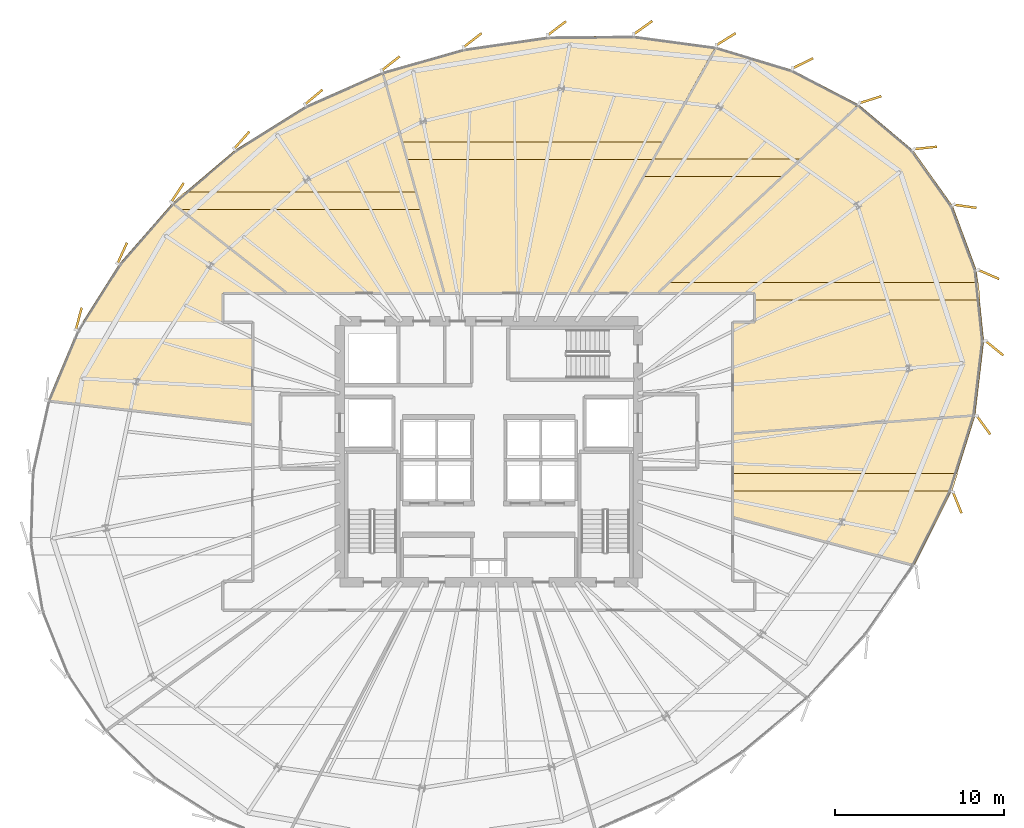
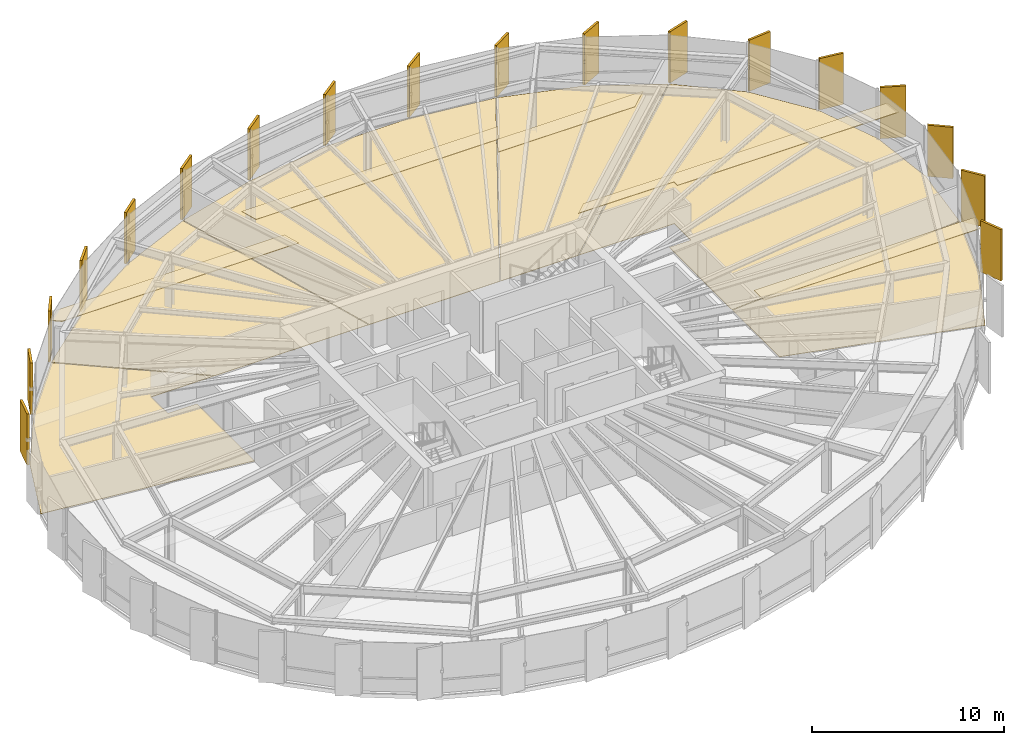
# One storey, part 35 of 35: 29 coverings.
"""IFC4 building model written with IfcOpenShell, lengths in metres."""

from ifc_helpers import new_model, si_unit, direction, frame, origin, origin_2d, place, context, subcontext, project, spatial, polyline, rectangle, outline, extrude, source, transform, mapped, material, layer, layer_set, type_object, element, save


model = new_model("IFC4")

# Units and contexts
model_context = context("Model", 3, precision=1e-05, world=origin(), true_north=direction((0.0, 1.0)))
body_context = subcontext(model_context, "Body", "Model", "MODEL_VIEW")
ifc_project = project(units=[si_unit("LENGTHUNIT", "METRE"), si_unit("AREAUNIT", "SQUARE_METRE"), si_unit("VOLUMEUNIT", "CUBIC_METRE"), si_unit("PLANEANGLEUNIT", "RADIAN"), si_unit("MASSUNIT", "GRAM", prefix="KILO"), si_unit("THERMODYNAMICTEMPERATUREUNIT", "KELVIN")], contexts=[model_context])

# Site, building, storey
site_placement = place(None, origin())
site = spatial("IfcSite", under=ifc_project, at=site_placement, CompositionType="ELEMENT")
building_placement = place(site_placement, origin())
building = spatial("IfcBuilding", under=site, at=building_placement, Name="Kethvar Cultural Tower", CompositionType="ELEMENT")
storey_placement = place(building_placement, frame((0.0, 0.0, 146.550048828125)))
storey = spatial("IfcBuildingStorey", under=building, at=storey_placement, Name="L37", CompositionType="ELEMENT", Elevation=146.550048828125)

# Coverings
ifc_material_1 = material(Name="Acoustic Mineral Fibre Ceiling")
ifc_layer_1 = layer(ifc_material_1, 0.0400390625, Name="Acoustic Mineral Fibre Ceiling")
ifc_layer_set_1 = layer_set([ifc_layer_1], Name="Acoustic Mineral Fibre Ceiling (40 mm)")
covering_type_1 = type_object("IfcCoveringType", Name="CV-ACOUSTIC-CEIL", PredefinedType="CEILING", material=ifc_layer_set_1)
covering_1_placement = place(storey_placement, frame((0.0, 0.0, 2.669921875)))
element("IfcCovering", 1, at=covering_1_placement, inside=storey, type_object=covering_type_1, Name="L37 Room 05 Acoustic Ceiling Panel", PredefinedType="CEILING", context=body_context, shape_type="SweptSolid", body=[
    extrude(outline(polyline([(61.179931640625, 26.525390625), (74.477294921875, 26.525390625), (74.154541015625, 25.495361328125), (61.179931640625, 25.495361328125), (61.179931640625, 26.525390625)])), origin(), (0.0, 0.0, 1.0), 0.0400390625),
])
covering_2_placement = place(storey_placement, frame((0.0, 0.0, 2.669921875)))
element("IfcCovering", 2, at=covering_2_placement, inside=storey, type_object=covering_type_1, Name="L37 Room 06 Acoustic Ceiling Panel", PredefinedType="CEILING", context=body_context, shape_type="SweptSolid", body=[
    extrude(outline(polyline([(62.47998046875, 37.1298828125), (56.735595703125, 37.150390625), (57.413818359375, 37.795654296875), (75.701171875, 37.795654296875), (75.80810546875, 36.765625), (62.47998046875, 36.765625), (62.47998046875, 37.1298828125)])), origin(), (0.0, 0.0, 1.0), 0.0400390625),
])
covering_3_placement = place(storey_placement, frame((0.0, 0.0, 2.669921875)))
element("IfcCovering", 3, at=covering_3_placement, inside=storey, type_object=covering_type_1, Name="L37 Room 07 Acoustic Ceiling Panel", PredefinedType="CEILING", context=body_context, shape_type="SweptSolid", body=[
    extrude(outline(polyline([(64.138916015625, 44.056640625), (55.892578125, 44.056640625), (56.469970703125, 45.086669921875), (65.235595703125, 45.086669921875), (64.138916015625, 44.056640625)])), origin(), (0.0, 0.0, 1.0), 0.0400390625),
])
covering_4_placement = place(storey_placement, frame((0.0, 0.0, 2.669921875)))
element("IfcCovering", 4, at=covering_4_placement, inside=storey, type_object=covering_type_1, Name="L37 Room 08 Acoustic Ceiling Panel", PredefinedType="CEILING", context=body_context, shape_type="SweptSolid", body=[
    extrude(outline(polyline([(56.498779296875, 45.05615234375), (41.936279296875, 45.05615234375), (41.647216796875, 46.086181640625), (57.076416015625, 46.086181640625), (56.498779296875, 45.05615234375)])), origin(), (0.0, 0.0, 1.0), 0.0400390625),
])
covering_5_placement = place(storey_placement, frame((0.0, 0.0, 2.669921875)))
element("IfcCovering", 5, at=covering_5_placement, inside=storey, type_object=covering_type_1, Name="L37 Room 09 Acoustic Ceiling Panel", PredefinedType="CEILING", context=body_context, shape_type="SweptSolid", body=[
    extrude(outline(polyline([(28.094970703125, 42.47265625), (28.83935546875, 43.132568359375), (42.517822265625, 43.132568359375), (42.806884765625, 42.1025390625), (28.56591796875, 42.1025390625), (28.094970703125, 42.47265625)])), origin(), (0.0, 0.0, 1.0), 0.0400390625),
])
ifc_material_2 = material(Name="Architectural Oak Timber", Category="wood")
ifc_layer_2 = layer(ifc_material_2, 0.02490234375, Name="Architectural Oak Timber", Category="wood")
ifc_layer_set_2 = layer_set([ifc_layer_2], Name="Architectural Oak Timber (25 mm)")
covering_type_2 = type_object("IfcCoveringType", Name="CV-OAK-FLOOR", PredefinedType="FLOORING", material=ifc_layer_set_2)
covering_6_placement = place(storey_placement, origin())
element("IfcCovering", 6, at=covering_6_placement, inside=storey, type_object=covering_type_2, Name="L37 Room 05 Floor Finish", PredefinedType="FLOORING", context=body_context, shape_type="SweptSolid", body=[
    extrude(outline(polyline([(74.100341796875, 25.4560546875), (71.91845703125, 21.087890625), (61.219970703125, 23.95556640625), (61.219970703125, 28.847900390625), (75.494384765625, 29.905029296875), (74.100341796875, 25.4560546875)])), origin(), (0.0, 0.0, 1.0), 0.02490234375),
])
covering_7_placement = place(storey_placement, origin())
element("IfcCovering", 7, at=covering_7_placement, inside=storey, type_object=covering_type_2, Name="L37 Room 06 Floor Finish", PredefinedType="FLOORING", context=body_context, shape_type="SweptSolid", body=[
    extrude(outline(polyline([(76.020263671875, 34.33447265625), (75.50439453125, 29.94580078125), (61.219970703125, 28.887939453125), (61.219970703125, 35.429931640625), (62.515380859375, 35.437255859375), (62.517578125, 37.159423828125), (56.80615234375, 37.169921875), (68.640625, 48.284423828125), (71.834716796875, 45.59228515625), (74.181884765625, 42.298095703125), (75.587158203125, 38.5048828125), (76.020263671875, 34.33447265625)])), origin(), (0.0, 0.0, 1.0), 0.02490234375),
])
covering_8_placement = place(storey_placement, origin())
element("IfcCovering", 8, at=covering_8_placement, inside=storey, type_object=covering_type_2, Name="L37 Room 07 Floor Finish", PredefinedType="FLOORING", context=body_context, shape_type="SweptSolid", body=[
    extrude(outline(polyline([(60.22021484375, 51.69287109375), (64.696044921875, 50.341552734375), (68.605712890625, 48.306640625), (56.747802734375, 37.169921875), (52.076904296875, 37.169921875), (60.22021484375, 51.69287109375)])), origin(), (0.0, 0.0, 1.0), 0.02490234375),
])
covering_9_placement = place(storey_placement, origin())
element("IfcCovering", 9, at=covering_9_placement, inside=storey, type_object=covering_type_2, Name="L37 Room 08 Floor Finish", PredefinedType="FLOORING", context=body_context, shape_type="SweptSolid", body=[
    extrude(outline(polyline([(45.33203125, 51.58447265625), (50.332275390625, 52.3056640625), (55.352294921875, 52.349609375), (60.1787109375, 51.70068359375), (52.031005859375, 37.169921875), (44.191162109375, 37.169921875), (40.529541015625, 50.216796875), (45.33203125, 51.58447265625)])), origin(), (0.0, 0.0, 1.0), 0.02490234375),
])
covering_10_placement = place(storey_placement, origin())
element("IfcCovering", 10, at=covering_10_placement, inside=storey, type_object=covering_type_2, Name="L37 Room 09 Floor Finish", PredefinedType="FLOORING", context=body_context, shape_type="SweptSolid", body=[
    extrude(outline(polyline([(28.140380859375, 42.48779296875), (31.8291015625, 45.61474609375), (35.99072265625, 48.21533203125), (40.491943359375, 50.203125), (44.149658203125, 37.169921875), (34.90771484375, 37.169921875), (28.140380859375, 42.48779296875)])), origin(), (0.0, 0.0, 1.0), 0.02490234375),
])
covering_11_placement = place(storey_placement, origin())
element("IfcCovering", 11, at=covering_11_placement, inside=storey, type_object=covering_type_2, Name="L37 Room 10 Floor Finish", PredefinedType="FLOORING", context=body_context, shape_type="SweptSolid", body=[
    extrude(outline(polyline([(22.508544921875, 34.960205078125), (24.984130859375, 38.885009765625), (28.111328125, 42.459716796875), (34.843017578125, 37.169921875), (31.080810546875, 37.15576171875), (31.0859375, 35.435791015625), (32.830078125, 35.429931640625), (32.830078125, 29.4423828125), (20.78076171875, 30.84130859375), (22.508544921875, 34.960205078125)])), origin(), (0.0, 0.0, 1.0), 0.02490234375),
])
ifc_material_3 = material(Name="Extruded Architectural Terracotta", Category="masonry")
ifc_layer_3 = layer(ifc_material_3, 0.135009765625, Name="Extruded Architectural Terracotta", Category="masonry")
ifc_layer_set_3 = layer_set([ifc_layer_3], Name="Extruded Architectural Terracotta (135 mm)")
covering_type_3 = type_object("IfcCoveringType", Name="Terracotta Facade Fin FIN-02", PredefinedType="CLADDING", material=ifc_layer_set_3)
shared_shape = source(origin(), body_context, "Body", "SweptSolid", [
    extrude(rectangle(XDim=1.35009765625, YDim=0.135009765625, at=origin_2d()), origin(), (0.0, 0.0, 1.0), 3.260009765625),
])
for number, where, z_axis, x_axis, name in (
    (12, (74.91064453125, 42.291748046875, 0.02001953125), (0.0, 0.0, 1.0), (0.990292343947, -0.139000264458, 0.0), "L37 Vertical Terracotta Fin 1.1"),
    (13, (72.572265625, 45.738037109375, 0.02001953125), (0.0, 0.0, 1.0), (0.994448678381, 0.105222745001, 0.0), "L37 Vertical Terracotta Fin 1.2"),
    (14, (69.32080078125, 48.585205078125, 0.02001953125), (0.0, 0.0, 1.0), (0.953769419285, 0.300539339916, 0.0), "L37 Vertical Terracotta Fin 1.3"),
    (15, (65.3330078125, 50.733154296875, 0.02001953125), (0.0, 0.0, 1.0), (0.898334492373, 0.439312121178, 0.0), "L37 Vertical Terracotta Fin 1.4"),
    (16, (60.794189453125, 52.153076171875, 0.02001953125), (0.0, 0.0, 1.0), (0.848694881602, 0.528882782801, 0.0), "L37 Vertical Terracotta Fin 1.5"),
    (17, (55.902587890625, 52.841552734375, 0.02001953125), (0.0, 0.0, 1.0), (0.814216857742, 0.580560856904, 0.0), "L37 Vertical Terracotta Fin 1.6"),
    (18, (50.818603515625, 52.80712890625, 0.02001953125), (0.0, 0.0, 1.0), (0.796846376179, 0.604181969914, 0.0), "L37 Vertical Terracotta Fin 2.1"),
    (19, (45.839111328125, 52.09521484375, 0.02001953125), (0.0, 0.0, 1.0), (0.78961984927, 0.613596360516, 0.0), "L37 Vertical Terracotta Fin 2.2"),
    (20, (41.002197265625, 50.722412109375, 0.02001953125), (0.0, 0.0, 1.0), (0.784559979031, 0.620052932662, 0.0), "L37 Vertical Terracotta Fin 2.3"),
    (21, (36.455810546875, 48.73486328125, 0.02001953125), (0.0, 0.0, 1.0), (0.76593224385, 0.642921299873, 0.0), "L37 Vertical Terracotta Fin 2.4"),
    (22, (32.21484375, 46.19580078125, 0.02001953125), (0.0, 0.0, 1.0), (0.665360657468, 0.746522066314, 0.0), "L37 Vertical Terracotta Fin 2.5"),
    (23, (28.41796875, 43.104736328125, 0.02001953125), (0.0, 0.0, 1.0), (0.547271104292, 0.836955398099, 0.0), "L37 Vertical Terracotta Fin 2.6"),
    (24, (25.15673828125, 39.522216796875, 0.02001953125), (0.0, 0.0, 1.0), (0.410559713862, 0.911833713653, 0.0), "L37 Vertical Terracotta Fin 3.1"),
    (25, (22.589111328125, 35.6533203125, 0.02001953125), (0.0, 0.0, 1.0), (0.254770725683, 0.967001487762, 0.0), "L37 Vertical Terracotta Fin 3.2"),
    (26, (74.449951171875, 24.799560546875, 0.02001953125), (0.0, 0.0, 1.0), (0.377517574003, -0.926002419716, 0.0), "L37 Vertical Terracotta Fin 6.3"),
    (27, (76.0, 29.372802734375, 0.02001953125), (0.0, 0.0, 1.0), (0.589901237104, -0.807475405485, 0.0), "L37 Vertical Terracotta Fin 6.4"),
    (28, (76.643798828125, 33.9169921875, 0.02001953125), (0.0, 0.0, 1.0), (0.77615646894, -0.630540352177, 0.0), "L37 Vertical Terracotta Fin 6.5"),
    (29, (76.30078125, 38.26806640625, 0.02001953125), (0.0, 0.0, 1.0), (0.916990465576, -0.398909120029, 0.0), "L37 Vertical Terracotta Fin 6.6"),
):
    element("IfcCovering", number, at=place(storey_placement, frame(where, z_axis=z_axis, x_axis=x_axis)), inside=storey, type_object=covering_type_3, Name=name, PredefinedType="CLADDING", context=body_context, shape_type="MappedRepresentation", body=[
        mapped(shared_shape, transform((0.0, 0.0, 0.0), scale=1.0)),
    ])

save(model, "model.ifc")
